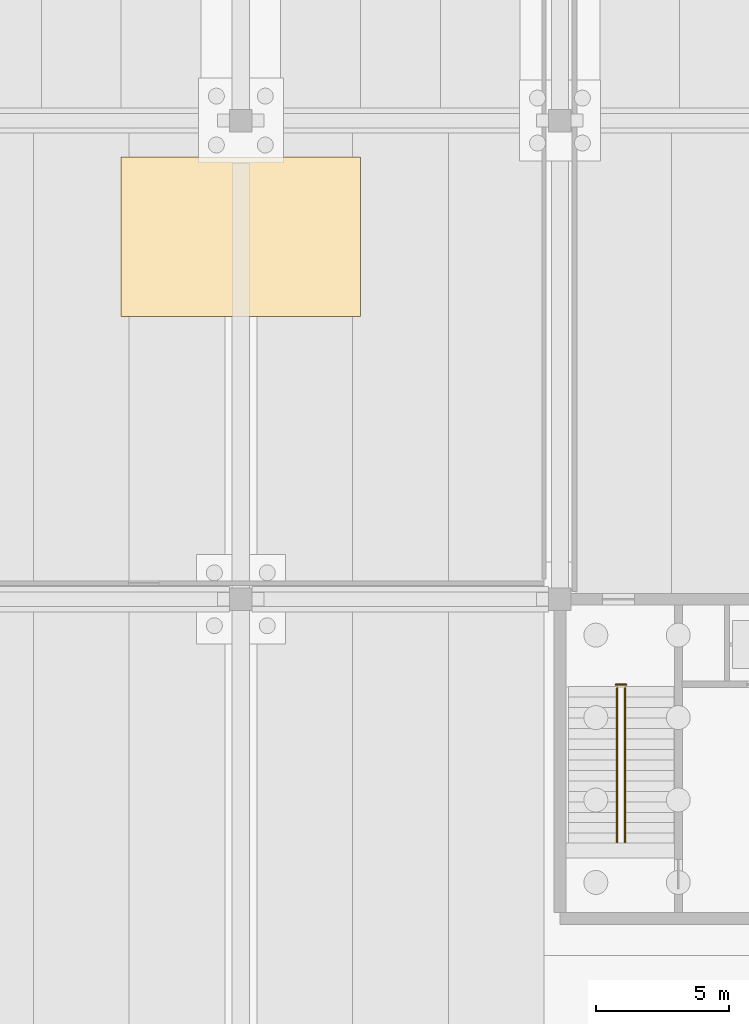
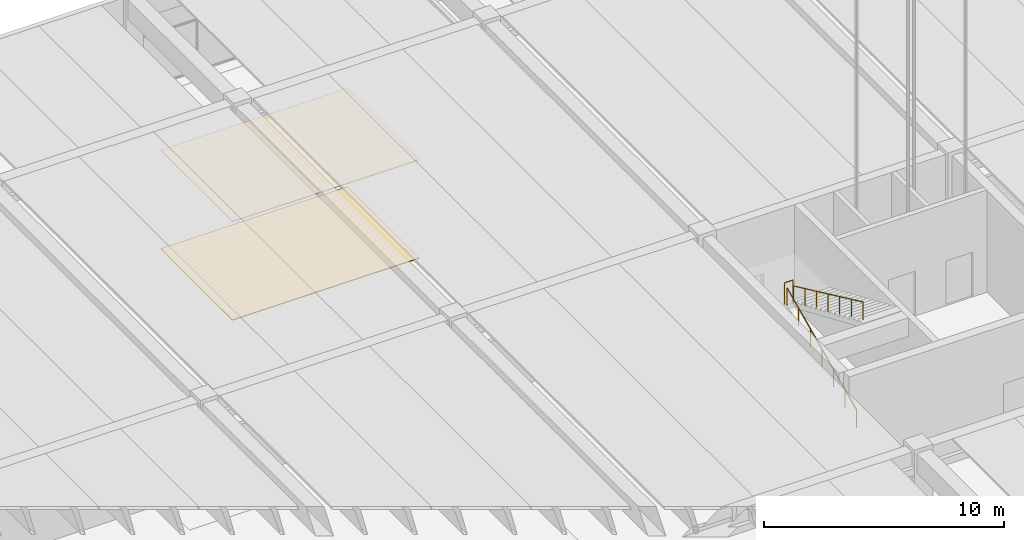
# One storey, part 56 of 59: 3 railings, 2 coverings.
"""IFC4 building model written with IfcOpenShell, lengths in metres."""

from ifc_helpers import new_model, si_unit, direction, frame, origin, origin_2d, place, context, subcontext, project, spatial, rectangle, circle, extrude, material, layer, layer_set, type_object, element, save


model = new_model("IFC4")

# Units and contexts
model_context = context("Model", 3, precision=1e-05, world=origin(), true_north=direction((0.0, 1.0)))
body_context = subcontext(model_context, "Body", "Model", "MODEL_VIEW")
ifc_project = project(units=[si_unit("LENGTHUNIT", "METRE"), si_unit("AREAUNIT", "SQUARE_METRE"), si_unit("VOLUMEUNIT", "CUBIC_METRE"), si_unit("PLANEANGLEUNIT", "RADIAN"), si_unit("MASSUNIT", "GRAM", prefix="KILO")], contexts=[model_context])

# Site, building, storey
site_placement = place(None, origin())
site = spatial("IfcSite", under=ifc_project, at=site_placement, CompositionType="ELEMENT")
building_placement = place(site_placement, origin())
building = spatial("IfcBuilding", under=site, at=building_placement, Name="Girod Span Mobility Hub", CompositionType="ELEMENT")
storey_placement = place(building_placement, origin())
storey = spatial("IfcBuildingStorey", under=building, at=storey_placement, Name="L00", CompositionType="ELEMENT", Elevation=0.0)

# Coverings
ifc_material_1 = material(Name="Perforated Mineral-Fibre Acoustic Ceiling Tile", Category="mineral")
ifc_layer_1 = layer(ifc_material_1, 0.044921875)
ifc_layer_set_1 = layer_set([ifc_layer_1], Name="Perforated Mineral-Fibre Acoustic Ceiling Tile")
covering_type_1 = type_object("IfcCoveringType", Name="COV-CLG-900X600", PredefinedType="CEILING", material=ifc_layer_set_1)
covering_1_placement = place(storey_placement, frame((60.0, 100.625, 5.005126953125), z_axis=(0.0, 0.0, 1.0), x_axis=(1.0, 0.0, 0.0)))
element("IfcCovering", 1, at=covering_1_placement, inside=storey, type_object=covering_type_1, Name="Bicycle Repair Shop Acoustic Ceiling", PredefinedType="CEILING", context=body_context, shape_type="SweptSolid", body=[
    extrude(rectangle(XDim=9.0, YDim=6.0, at=origin_2d()), origin(), (0.0, 0.0, 1.0), 0.044921875),
])
ifc_material_2 = material(Name="Epoxy Terrazzo and Raised Access Flooring", Category="polymer")
ifc_layer_2 = layer(ifc_material_2, 0.030029296875)
ifc_layer_set_2 = layer_set([ifc_layer_2], Name="Epoxy Terrazzo and Raised Access Flooring")
covering_type_2 = type_object("IfcCoveringType", Name="COV-FLR-900X600", PredefinedType="FLOORING", material=ifc_layer_set_2)
covering_2_placement = place(storey_placement, frame((60.0, 100.625, 0.0), z_axis=(0.0, 0.0, 1.0), x_axis=(1.0, 0.0, 0.0)))
element("IfcCovering", 2, at=covering_2_placement, inside=storey, type_object=covering_type_2, Name="Bicycle Repair Shop Floor Finish", PredefinedType="FLOORING", context=body_context, shape_type="SweptSolid", body=[
    extrude(rectangle(XDim=9.0, YDim=6.0, at=origin_2d()), origin(), (0.0, 0.0, 1.0), 0.030029296875),
])

# Railings
ifc_material_3 = material(Name="Painted Galvanised Steel", Category="steel")
ifc_layer_3 = layer(ifc_material_3, 0.06494140625)
ifc_layer_set_3 = layer_set([ifc_layer_3], Name="Painted Galvanised Steel")
railing_type_1 = type_object("IfcRailingType", Name="RL-GRD-1120", PredefinedType="GUARDRAIL", material=ifc_layer_set_3)
railing_1_placement = place(storey_placement, frame((74.10009765625, 83.7900390625, 2.699951171875)))
element("IfcRailing", 3, at=railing_1_placement, inside=storey, type_object=railing_type_1, Name="Stair ST-4 Half-Landing Well Guard L00", PredefinedType="GUARDRAIL", context=body_context, shape_type="SweptSolid", body=[
    extrude(circle(Radius=0.02392578125, at=origin_2d()), frame((0.0, 0.0, 1.09619140625), z_axis=(1.0, 0.0, 0.0), x_axis=(0.0, 1.0, 0.0)), (0.0, 0.0, 1.0), 0.39990234375),
    extrude(circle(Radius=0.02099609375, at=origin_2d()), origin(), (0.0, 0.0, 1.0), 1.072021484375),
    extrude(circle(Radius=0.02099609375, at=origin_2d()), frame((0.39990234375, 0.0, 0.0)), (0.0, 0.0, 1.0), 1.072021484375),
])
ifc_material_4 = material(Name="Painted Galvanised Steel", Category="steel")
ifc_layer_4 = layer(ifc_material_4, 0.050048828125)
ifc_layer_set_4 = layer_set([ifc_layer_4], Name="Painted Galvanised Steel")
railing_type_2 = type_object("IfcRailingType", Name="RL-HR-920", PredefinedType="HANDRAIL", material=ifc_layer_set_4)
railing_2_placement = place(storey_placement, frame((74.14990234375, 77.860107421875, 0.0)))
element("IfcRailing", 4, at=railing_2_placement, inside=storey, type_object=railing_type_2, Name="Stair ST-4 Flight 1 Handrail L00", PredefinedType="HANDRAIL", context=body_context, shape_type="SweptSolid", body=[
    extrude(circle(Radius=0.02392578125, at=origin_2d()), frame((0.0, 0.0, 0.89599609375), z_axis=(0.0, 0.90657954365, 0.422034987928), x_axis=(-1.0, 0.0, 0.0)), (0.0, 0.0, 1.0), 6.3974609375),
    extrude(circle(Radius=0.02099609375, at=origin_2d()), origin(), (0.0, 0.0, 1.0), 0.871826171875),
    extrude(circle(Radius=0.02099609375, at=origin_2d()), frame((0.0, 0.966552734375, 0.449951171875)), (0.0, 0.0, 1.0), 0.871826171875),
    extrude(circle(Radius=0.02099609375, at=origin_2d()), frame((0.0, 1.933349609375, 0.89990234375)), (0.0, 0.0, 1.0), 0.871826171875),
    extrude(circle(Radius=0.02099609375, at=origin_2d()), frame((0.0, 2.89990234375, 1.35009765625)), (0.0, 0.0, 1.0), 0.871826171875),
    extrude(circle(Radius=0.02099609375, at=origin_2d()), frame((0.0, 3.866455078125, 1.800048828125)), (0.0, 0.0, 1.0), 0.871826171875),
    extrude(circle(Radius=0.02099609375, at=origin_2d()), frame((0.0, 4.833251953125, 2.25)), (0.0, 0.0, 1.0), 0.871826171875),
    extrude(circle(Radius=0.02099609375, at=origin_2d()), frame((0.0, 5.7998046875, 2.699951171875)), (0.0, 0.0, 1.0), 0.871826171875),
])
railing_3_placement = place(storey_placement, frame((74.449951171875, 83.659912109375, 2.699951171875)))
element("IfcRailing", 5, at=railing_3_placement, inside=storey, type_object=railing_type_2, Name="Stair ST-4 Flight 2 Handrail L00", PredefinedType="HANDRAIL", context=body_context, shape_type="SweptSolid", body=[
    extrude(circle(Radius=0.02392578125, at=origin_2d()), frame((0.0, 0.0, 0.89599609375), z_axis=(0.0, -0.90657954365, 0.422034987928), x_axis=(1.0, 0.0, 0.0)), (0.0, 0.0, 1.0), 6.3974609375),
    extrude(circle(Radius=0.02099609375, at=origin_2d()), origin(), (0.0, 0.0, 1.0), 0.871826171875),
    extrude(circle(Radius=0.02099609375, at=origin_2d()), frame((0.0, -0.966552734375, 0.449951171875)), (0.0, 0.0, 1.0), 0.871826171875),
    extrude(circle(Radius=0.02099609375, at=origin_2d()), frame((0.0, -1.933349609375, 0.89990234375)), (0.0, 0.0, 1.0), 0.871826171875),
    extrude(circle(Radius=0.02099609375, at=origin_2d()), frame((0.0, -2.89990234375, 1.35009765625)), (0.0, 0.0, 1.0), 0.871826171875),
    extrude(circle(Radius=0.02099609375, at=origin_2d()), frame((0.0, -3.866455078125, 1.800048828125)), (0.0, 0.0, 1.0), 0.871826171875),
    extrude(circle(Radius=0.02099609375, at=origin_2d()), frame((0.0, -4.833251953125, 2.25)), (0.0, 0.0, 1.0), 0.871826171875),
    extrude(circle(Radius=0.02099609375, at=origin_2d()), frame((0.0, -5.7998046875, 2.699951171875)), (0.0, 0.0, 1.0), 0.871826171875),
])

save(model, "model.ifc")
